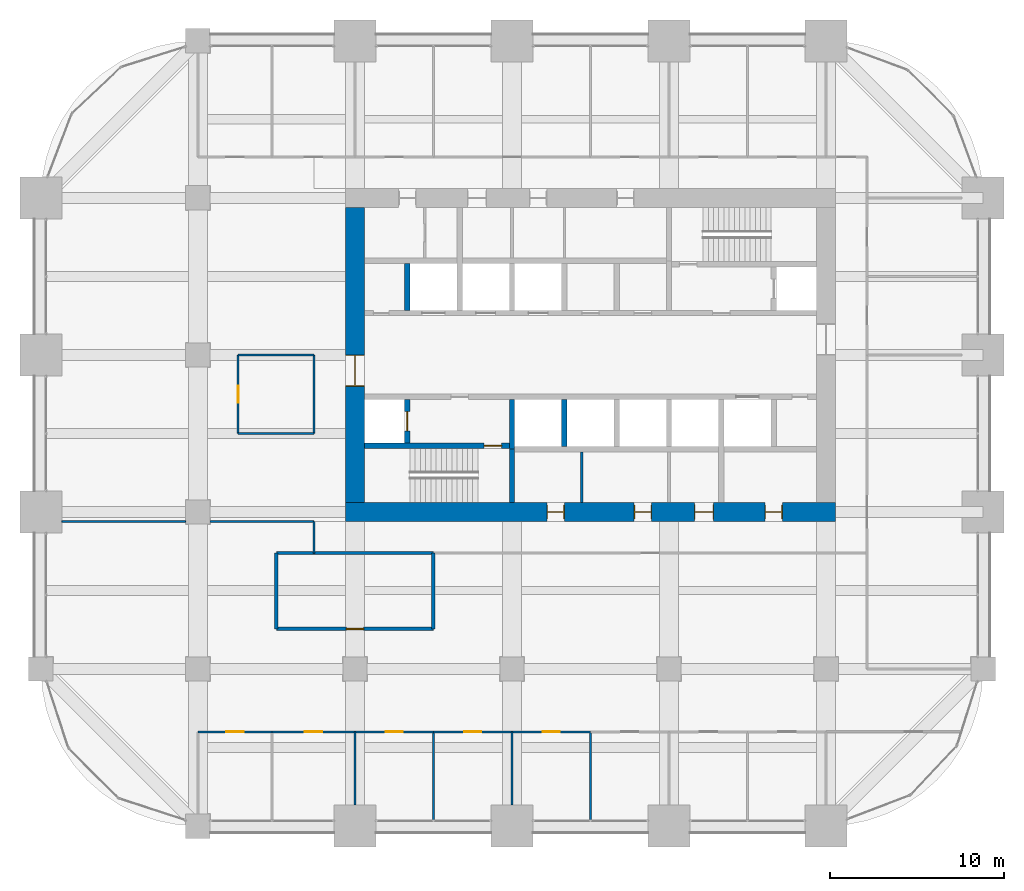
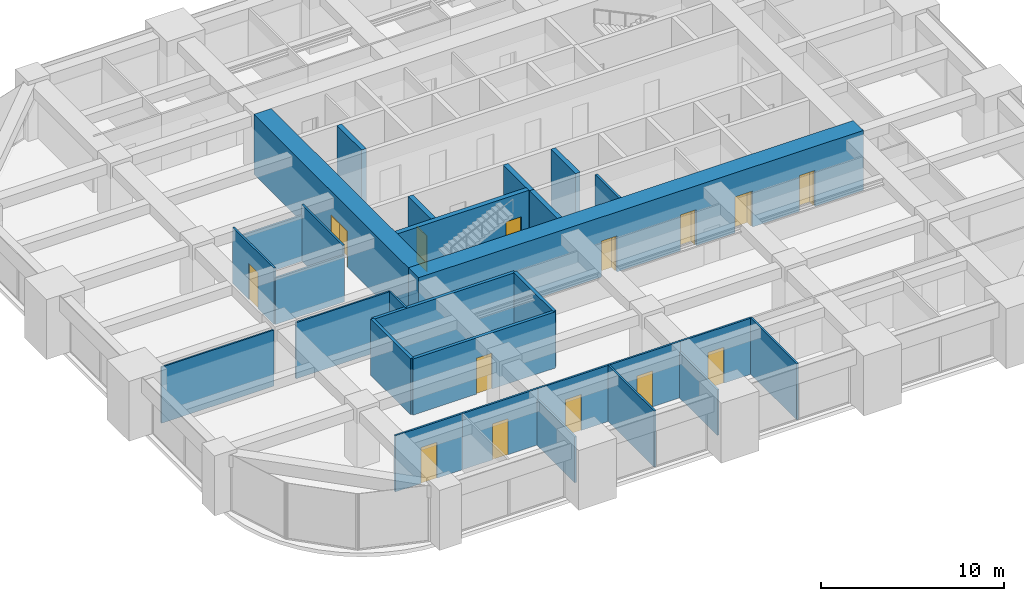
# One storey, part 29 of 33: 29 walls, 14 doors, 14 openings.
"""IFC4 building model written with IfcOpenShell, lengths in metres."""

from ifc_helpers import new_model, si_unit, direction, frame, frame_2d, origin, place, context, subcontext, project, spatial, rectangle, extrude, material, layer, layer_set, type_object, element, fill, save


model = new_model("IFC4")

# Units and contexts
model_context = context("Model", 3, precision=1e-05, world=origin(), true_north=direction((0.0, 1.0)))
body_context = subcontext(model_context, "Body", "Model", "MODEL_VIEW")
ifc_project = project(units=[si_unit("LENGTHUNIT", "METRE"), si_unit("AREAUNIT", "SQUARE_METRE"), si_unit("VOLUMEUNIT", "CUBIC_METRE"), si_unit("PLANEANGLEUNIT", "RADIAN"), si_unit("MASSUNIT", "GRAM", prefix="KILO")], contexts=[model_context])

# Site, building, storey
site_placement = place(None, origin())
site = spatial("IfcSite", under=ifc_project, at=site_placement, CompositionType="ELEMENT")
building_placement = place(site_placement, origin())
building = spatial("IfcBuilding", under=site, at=building_placement, Name="Zorevar Civic Tower", CompositionType="ELEMENT")
storey_placement = place(building_placement, frame((0.0, 0.0, 210.199951171875)))
storey = spatial("IfcBuildingStorey", under=building, at=storey_placement, Name="L51", CompositionType="ELEMENT", Elevation=210.199951171875)

# Wall, opening, door
ifc_material_1 = material(Name="Concrete blockwork", Category="masonry")
ifc_layer_1 = layer(ifc_material_1, 0.199951171875)
ifc_layer_set_1 = layer_set([ifc_layer_1], Name="Blockwork wall 200")
wall_type_1 = type_object("IfcWallType", Name="Blockwork wall 200", PredefinedType="SOLIDWALL", material=ifc_layer_set_1)
wall_1_placement = place(storey_placement, frame((13.5, 11.300048828125, 0.0), z_axis=(0.0, 0.0, 1.0), x_axis=(1.0, 0.0, 0.0)))
wall_1 = element("IfcWall", 1, at=wall_1_placement, inside=storey, type_object=wall_type_1, Name="Blockwork wall 200 L51", PredefinedType="SOLIDWALL", context=body_context, shape_type="SweptSolid", body=[
    extrude(rectangle(XDim=9.0, YDim=0.199951171875, at=frame_2d((4.5, 0.0))), origin(), (0.0, 0.0, 1.0), 3.75),
])
opening_1_placement = place(wall_1_placement, frame((4.0, 0.0, 0.0)))
opening_1 = element("IfcOpeningElement", 2, at=opening_1_placement, cuts=wall_1, Name="Opening L51.26", PredefinedType="OPENING", context=body_context, shape_type="SweptSolid", body=[
    extrude(rectangle(XDim=1.0, YDim=2.39990234375, at=frame_2d((0.5, 1.199951171875))), frame((0.0, 0.10986328125, 0.0), z_axis=(0.0, -1.0, 0.0), x_axis=(1.0, 0.0, 0.0)), (0.0, 0.0, 1.0), 0.219970703125),
])
ifc_material_2 = material(Name="Steel door set", Category="steel")
door_type_1 = type_object("IfcDoorType", Name="Security door SD1 1000x2400", OperationType="SINGLE_SWING_LEFT", PredefinedType="DOOR", material=ifc_material_2)
door_1_placement = place(opening_1_placement, origin())
door_1 = element("IfcDoor", 3, at=door_1_placement, inside=storey, type_object=door_type_1, Name="Door L51 D1", OperationType="SINGLE_SWING_LEFT", OverallHeight=2.39990234375, OverallWidth=1.0, PredefinedType="DOOR", context=body_context, shape_type="SweptSolid", body=[
    extrude(rectangle(XDim=1.0, YDim=2.39990234375, at=frame_2d((0.5, 1.199951171875))), frame((0.0, 0.03515625, 0.0), z_axis=(0.0, -1.0, 0.0), x_axis=(1.0, 0.0, 0.0)), (0.0, 0.0, 1.0), 0.070068359375),
])
fill(opening_1, door_1)

# Walls
wall_2_placement = place(storey_placement, frame((13.5, 15.64990234375, 0.0), z_axis=(0.0, 0.0, 1.0), x_axis=(1.0, 0.0, 0.0)))
element("IfcWall", 4, at=wall_2_placement, inside=storey, type_object=wall_type_1, Name="Blockwork wall 200 L51", PredefinedType="SOLIDWALL", context=body_context, shape_type="SweptSolid", body=[
    extrude(rectangle(XDim=9.0, YDim=0.199951171875, at=frame_2d((4.5, 0.0))), origin(), (0.0, 0.0, 1.0), 3.75),
])
for number, where, z_axis, x_axis, name in (
    (5, (13.5, 11.300048828125, 0.0), (0.0, 0.0, 1.0), (0.0, 1.0, 0.0), "Blockwork wall 200 L51"),
    (6, (22.5, 11.300048828125, 0.0), (0.0, 0.0, 1.0), (0.0, 1.0, 0.0), "Blockwork wall 200 L51"),
):
    element("IfcWall", number, at=place(storey_placement, frame(where, z_axis=z_axis, x_axis=x_axis)), inside=storey, type_object=wall_type_1, Name=name, PredefinedType="SOLIDWALL", context=body_context, shape_type="SweptSolid", body=[
        extrude(rectangle(XDim=4.349853515625, YDim=0.199951171875, at=frame_2d((2.1748046875, 0.0))), origin(), (0.0, 0.0, 1.0), 3.75),
    ])

# Wall, openings, doors
ifc_material_3 = material(Name="Concrete C50/60", Category="concrete")
ifc_layer_2 = layer(ifc_material_3, 1.10009765625)
ifc_layer_set_2 = layer_set([ifc_layer_2], Name="Core wall 1100")
wall_type_2 = type_object("IfcWallType", Name="Core wall 1100", PredefinedType="SHEAR", material=ifc_layer_set_2)
wall_3_placement = place(storey_placement, frame((17.449951171875, 18.0, 0.0), z_axis=(0.0, 0.0, 1.0), x_axis=(1.0, 0.0, 0.0)))
wall_3 = element("IfcWall", 7, at=wall_3_placement, inside=storey, type_object=wall_type_2, Name="Core wall S L51", PredefinedType="SHEAR", context=body_context, shape_type="SweptSolid", body=[
    extrude(rectangle(XDim=28.10009765625, YDim=1.10009765625, at=frame_2d((14.050048828125, 0.0))), origin(), (0.0, 0.0, 1.0), 4.0),
])
opening_2_placement = place(wall_3_placement, frame((11.550048828125, 0.0, 0.0)))
opening_2 = element("IfcOpeningElement", 8, at=opening_2_placement, cuts=wall_3, Name="Opening L51.03", PredefinedType="OPENING", context=body_context, shape_type="SweptSolid", body=[
    extrude(rectangle(XDim=1.0, YDim=2.39990234375, at=frame_2d((0.5, 1.199951171875))), frame((0.0, 0.56005859375, 0.0), z_axis=(0.0, -1.0, 0.0), x_axis=(1.0, 0.0, 0.0)), (0.0, 0.0, 1.0), 1.1201171875),
])
opening_3_placement = place(wall_3_placement, frame((16.550048828125, 0.0, 0.0)))
opening_3 = element("IfcOpeningElement", 9, at=opening_3_placement, cuts=wall_3, Name="Opening L51.04", PredefinedType="OPENING", context=body_context, shape_type="SweptSolid", body=[
    extrude(rectangle(XDim=1.0, YDim=2.39990234375, at=frame_2d((0.5, 1.199951171875))), frame((0.0, 0.56005859375, 0.0), z_axis=(0.0, -1.0, 0.0), x_axis=(1.0, 0.0, 0.0)), (0.0, 0.0, 1.0), 1.1201171875),
])
opening_4_placement = place(wall_3_placement, frame((20.0, 0.0, 0.0)))
opening_4 = element("IfcOpeningElement", 10, at=opening_4_placement, cuts=wall_3, Name="Opening L51.05", PredefinedType="OPENING", context=body_context, shape_type="SweptSolid", body=[
    extrude(rectangle(XDim=1.10009765625, YDim=2.39990234375, at=frame_2d((0.550048828125, 1.199951171875))), frame((0.0, 0.56005859375, 0.0), z_axis=(0.0, -1.0, 0.0), x_axis=(1.0, 0.0, 0.0)), (0.0, 0.0, 1.0), 1.1201171875),
])
opening_5_placement = place(wall_3_placement, frame((24.050048828125, 0.0, 0.0)))
opening_5 = element("IfcOpeningElement", 11, at=opening_5_placement, cuts=wall_3, Name="Opening L51.06", PredefinedType="OPENING", context=body_context, shape_type="SweptSolid", body=[
    extrude(rectangle(XDim=1.0, YDim=2.39990234375, at=frame_2d((0.5, 1.199951171875))), frame((0.0, 0.56005859375, 0.0), z_axis=(0.0, -1.0, 0.0), x_axis=(1.0, 0.0, 0.0)), (0.0, 0.0, 1.0), 1.1201171875),
])
ifc_material_4 = material(Name="Timber door set", Category="wood")
door_type_2 = type_object("IfcDoorType", Name="Door D1 1000x2400", OperationType="SINGLE_SWING_LEFT", PredefinedType="DOOR", material=ifc_material_4)
door_2_placement = place(opening_2_placement, origin())
door_2 = element("IfcDoor", 12, at=door_2_placement, inside=storey, type_object=door_type_2, Name="Door L51 02", OperationType="SINGLE_SWING_RIGHT", OverallHeight=2.39990234375, OverallWidth=1.0, PredefinedType="DOOR", context=body_context, shape_type="SweptSolid", body=[
    extrude(rectangle(XDim=1.0, YDim=2.39990234375, at=frame_2d((0.5, 1.199951171875))), frame((0.0, 0.02490234375, 0.0), z_axis=(0.0, -1.0, 0.0), x_axis=(1.0, 0.0, 0.0)), (0.0, 0.0, 1.0), 0.050048828125),
    extrude(rectangle(XDim=0.04, YDim=2.39990234375, at=frame_2d((0.02001953125, 1.199951171875))), frame((0.0, 0.39990234375, 0.0), z_axis=(0.0, -1.0, 0.0), x_axis=(1.0, 0.0, 0.0)), (0.0, 0.0, 1.0), 0.800048828125),
    extrude(rectangle(XDim=0.04, YDim=2.39990234375, at=frame_2d((0.97998046875, 1.199951171875))), frame((0.0, 0.39990234375, 0.0), z_axis=(0.0, -1.0, 0.0), x_axis=(1.0, 0.0, 0.0)), (0.0, 0.0, 1.0), 0.800048828125),
    extrude(rectangle(XDim=1.0, YDim=0.04, at=frame_2d((0.5, 2.3798828125))), frame((0.0, 0.39990234375, 0.0), z_axis=(0.0, -1.0, 0.0), x_axis=(1.0, 0.0, 0.0)), (0.0, 0.0, 1.0), 0.800048828125),
])
fill(opening_2, door_2)
door_3_placement = place(opening_3_placement, origin())
door_3 = element("IfcDoor", 13, at=door_3_placement, inside=storey, type_object=door_type_2, Name="Door L51 03", OperationType="SINGLE_SWING_LEFT", OverallHeight=2.39990234375, OverallWidth=1.0, PredefinedType="DOOR", context=body_context, shape_type="SweptSolid", body=[
    extrude(rectangle(XDim=1.0, YDim=2.39990234375, at=frame_2d((0.5, 1.199951171875))), frame((0.0, 0.02490234375, 0.0), z_axis=(0.0, -1.0, 0.0), x_axis=(1.0, 0.0, 0.0)), (0.0, 0.0, 1.0), 0.050048828125),
    extrude(rectangle(XDim=0.04, YDim=2.39990234375, at=frame_2d((0.02001953125, 1.199951171875))), frame((0.0, 0.39990234375, 0.0), z_axis=(0.0, -1.0, 0.0), x_axis=(1.0, 0.0, 0.0)), (0.0, 0.0, 1.0), 0.800048828125),
    extrude(rectangle(XDim=0.04, YDim=2.39990234375, at=frame_2d((0.97998046875, 1.199951171875))), frame((0.0, 0.39990234375, 0.0), z_axis=(0.0, -1.0, 0.0), x_axis=(1.0, 0.0, 0.0)), (0.0, 0.0, 1.0), 0.800048828125),
    extrude(rectangle(XDim=1.0, YDim=0.04, at=frame_2d((0.5, 2.3798828125))), frame((0.0, 0.39990234375, 0.0), z_axis=(0.0, -1.0, 0.0), x_axis=(1.0, 0.0, 0.0)), (0.0, 0.0, 1.0), 0.800048828125),
])
fill(opening_3, door_3)
door_4_placement = place(opening_5_placement, origin())
door_4 = element("IfcDoor", 14, at=door_4_placement, inside=storey, type_object=door_type_2, Name="Door L51 05", OperationType="SINGLE_SWING_LEFT", OverallHeight=2.39990234375, OverallWidth=1.0, PredefinedType="DOOR", context=body_context, shape_type="SweptSolid", body=[
    extrude(rectangle(XDim=1.0, YDim=2.39990234375, at=frame_2d((0.5, 1.199951171875))), frame((0.0, 0.02490234375, 0.0), z_axis=(0.0, -1.0, 0.0), x_axis=(1.0, 0.0, 0.0)), (0.0, 0.0, 1.0), 0.050048828125),
    extrude(rectangle(XDim=0.04, YDim=2.39990234375, at=frame_2d((0.02001953125, 1.199951171875))), frame((0.0, 0.39990234375, 0.0), z_axis=(0.0, -1.0, 0.0), x_axis=(1.0, 0.0, 0.0)), (0.0, 0.0, 1.0), 0.800048828125),
    extrude(rectangle(XDim=0.04, YDim=2.39990234375, at=frame_2d((0.97998046875, 1.199951171875))), frame((0.0, 0.39990234375, 0.0), z_axis=(0.0, -1.0, 0.0), x_axis=(1.0, 0.0, 0.0)), (0.0, 0.0, 1.0), 0.800048828125),
    extrude(rectangle(XDim=1.0, YDim=0.04, at=frame_2d((0.5, 2.3798828125))), frame((0.0, 0.39990234375, 0.0), z_axis=(0.0, -1.0, 0.0), x_axis=(1.0, 0.0, 0.0)), (0.0, 0.0, 1.0), 0.800048828125),
])
fill(opening_5, door_4)
ifc_material_5 = material(Name="Timber door set", Category="wood")
door_type_3 = type_object("IfcDoorType", Name="Door D5 1100x2400", OperationType="SINGLE_SWING_LEFT", PredefinedType="DOOR", material=ifc_material_5)
door_5_placement = place(opening_4_placement, origin())
door_5 = element("IfcDoor", 15, at=door_5_placement, inside=storey, type_object=door_type_3, Name="Door L51 04", OperationType="SINGLE_SWING_LEFT", OverallHeight=2.39990234375, OverallWidth=1.10009765625, PredefinedType="DOOR", context=body_context, shape_type="SweptSolid", body=[
    extrude(rectangle(XDim=1.10009765625, YDim=2.39990234375, at=frame_2d((0.550048828125, 1.199951171875))), frame((0.0, 0.02490234375, 0.0), z_axis=(0.0, -1.0, 0.0), x_axis=(1.0, 0.0, 0.0)), (0.0, 0.0, 1.0), 0.050048828125),
    extrude(rectangle(XDim=0.04, YDim=2.39990234375, at=frame_2d((0.02001953125, 1.199951171875))), frame((0.0, 0.43994140625, 0.0), z_axis=(0.0, -1.0, 0.0), x_axis=(1.0, 0.0, 0.0)), (0.0, 0.0, 1.0), 0.880126953125),
    extrude(rectangle(XDim=0.04, YDim=2.39990234375, at=frame_2d((1.080078125, 1.199951171875))), frame((0.0, 0.43994140625, 0.0), z_axis=(0.0, -1.0, 0.0), x_axis=(1.0, 0.0, 0.0)), (0.0, 0.0, 1.0), 0.880126953125),
    extrude(rectangle(XDim=1.10009765625, YDim=0.04, at=frame_2d((0.550048828125, 2.3798828125))), frame((0.0, 0.43994140625, 0.0), z_axis=(0.0, -1.0, 0.0), x_axis=(1.0, 0.0, 0.0)), (0.0, 0.0, 1.0), 0.880126953125),
])
fill(opening_4, door_5)

# Wall, opening, door
wall_4_placement = place(storey_placement, frame((18.0, 35.449951171875, 0.0), z_axis=(0.0, 0.0, 1.0), x_axis=(0.0, -1.0, 0.0)))
wall_4 = element("IfcWall", 16, at=wall_4_placement, inside=storey, type_object=wall_type_2, Name="Core wall W L51", PredefinedType="SHEAR", context=body_context, shape_type="SweptSolid", body=[
    extrude(rectangle(XDim=16.89990234375, YDim=1.10009765625, at=frame_2d((8.449951171875, 0.0))), origin(), (0.0, 0.0, 1.0), 4.0),
])
opening_6_placement = place(wall_4_placement, frame((8.449951171875, 0.0, 0.0)))
opening_6 = element("IfcOpeningElement", 17, at=opening_6_placement, cuts=wall_4, Name="Opening L51.01", PredefinedType="OPENING", context=body_context, shape_type="SweptSolid", body=[
    extrude(rectangle(XDim=1.800048828125, YDim=2.39990234375, at=frame_2d((0.89990234375, 1.199951171875))), frame((0.0, 0.56005859375, 0.0), z_axis=(0.0, -1.0, 0.0), x_axis=(1.0, 0.0, 0.0)), (0.0, 0.0, 1.0), 1.1201171875),
])
ifc_material_6 = material(Name="Steel door set", Category="steel")
door_type_4 = type_object("IfcDoorType", Name="Fire door FD2 1800x2400", OperationType="DOUBLE_DOOR_DOUBLE_SWING", PredefinedType="DOOR", material=ifc_material_6)
door_6_placement = place(opening_6_placement, origin())
door_6 = element("IfcDoor", 18, at=door_6_placement, inside=storey, type_object=door_type_4, Name="Door L51 00", OperationType="DOUBLE_DOOR_DOUBLE_SWING", OverallHeight=2.39990234375, OverallWidth=1.800048828125, PredefinedType="DOOR", context=body_context, shape_type="SweptSolid", body=[
    extrude(rectangle(XDim=1.800048828125, YDim=2.39990234375, at=frame_2d((0.89990234375, 1.199951171875))), frame((0.0, 0.030029296875, 0.0), z_axis=(0.0, -1.0, 0.0), x_axis=(1.0, 0.0, 0.0)), (0.0, 0.0, 1.0), 0.06005859375),
    extrude(rectangle(XDim=0.04, YDim=2.39990234375, at=frame_2d((0.02001953125, 1.199951171875))), frame((0.0, 0.5498046875, 0.0), z_axis=(0.0, -1.0, 0.0), x_axis=(1.0, 0.0, 0.0)), (0.0, 0.0, 1.0), 1.099609375),
    extrude(rectangle(XDim=0.04, YDim=2.39990234375, at=frame_2d((1.780029296875, 1.199951171875))), frame((0.0, 0.5498046875, 0.0), z_axis=(0.0, -1.0, 0.0), x_axis=(1.0, 0.0, 0.0)), (0.0, 0.0, 1.0), 1.099609375),
    extrude(rectangle(XDim=1.800048828125, YDim=0.04, at=frame_2d((0.89990234375, 2.3798828125))), frame((0.0, 0.5498046875, 0.0), z_axis=(0.0, -1.0, 0.0), x_axis=(1.0, 0.0, 0.0)), (0.0, 0.0, 1.0), 1.099609375),
])
fill(opening_6, door_6)

# Walls
ifc_material_7 = material(Name="Laminated glass in black aluminium frame", Category="aluminium")
ifc_layer_3 = layer(ifc_material_7, 0.10009765625)
ifc_layer_set_3 = layer_set([ifc_layer_3], Name="Glazed partition 100")
wall_type_3 = type_object("IfcWallType", Name="Glazed partition 100", PredefinedType="PARTITIONING", material=ifc_layer_set_3)
wall_5_placement = place(storey_placement, frame((1.199951171875, 17.449951171875, 0.0), z_axis=(0.0, 0.0, 1.0), x_axis=(1.0, 0.0, 0.0)))
element("IfcWall", 19, at=wall_5_placement, inside=storey, type_object=wall_type_3, Name="Glazed partition 100 L51", PredefinedType="PARTITIONING", context=body_context, shape_type="SweptSolid", body=[
    extrude(rectangle(XDim=7.10009765625, YDim=0.10009765625, at=frame_2d((3.550048828125, 0.0))), origin(), (0.0, 0.0, 1.0), 3.75),
])
wall_6_placement = place(storey_placement, frame((9.699951171875, 17.449951171875, 0.0), z_axis=(0.0, 0.0, 1.0), x_axis=(1.0, 0.0, 0.0)))
element("IfcWall", 20, at=wall_6_placement, inside=storey, type_object=wall_type_3, Name="Glazed partition 100 L51", PredefinedType="PARTITIONING", context=body_context, shape_type="SweptSolid", body=[
    extrude(rectangle(XDim=5.949951171875, YDim=0.10009765625, at=frame_2d((2.97509765625, 0.0))), origin(), (0.0, 0.0, 1.0), 3.75),
])
wall_7_placement = place(storey_placement, frame((15.64990234375, 15.64990234375, 0.0), z_axis=(0.0, 0.0, 1.0), x_axis=(0.0, 1.0, 0.0)))
element("IfcWall", 21, at=wall_7_placement, inside=storey, type_object=wall_type_3, Name="Glazed partition 100 L51", PredefinedType="PARTITIONING", context=body_context, shape_type="SweptSolid", body=[
    extrude(rectangle(XDim=1.800048828125, YDim=0.10009765625, at=frame_2d((0.89990234375, 0.0))), origin(), (0.0, 0.0, 1.0), 3.75),
])

# Wall, opening, door
ifc_material_8 = material(Name="Concrete C40/50", Category="concrete")
ifc_layer_4 = layer(ifc_material_8, 0.300048828125)
ifc_layer_set_4 = layer_set([ifc_layer_4], Name="Inner core wall 300")
wall_type_4 = type_object("IfcWallType", Name="Inner core wall 300", PredefinedType="SHEAR", material=ifc_layer_set_4)
wall_8_placement = place(storey_placement, frame((18.550048828125, 21.800048828125, 0.0), z_axis=(0.0, 0.0, 1.0), x_axis=(1.0, 0.0, 0.0)))
wall_8 = element("IfcWall", 22, at=wall_8_placement, inside=storey, type_object=wall_type_4, Name="Inner core wall S00 L51", PredefinedType="SHEAR", context=body_context, shape_type="SweptSolid", body=[
    extrude(rectangle(XDim=8.300048828125, YDim=0.300048828125, at=frame_2d((4.14990234375, 0.0))), origin(), (0.0, 0.0, 1.0), 4.0),
])
opening_7_placement = place(wall_8_placement, frame((6.85009765625, 0.0, 0.0)))
opening_7 = element("IfcOpeningElement", 23, at=opening_7_placement, cuts=wall_8, Name="Opening L51.11", PredefinedType="OPENING", context=body_context, shape_type="SweptSolid", body=[
    extrude(rectangle(XDim=1.0, YDim=2.39990234375, at=frame_2d((0.5, 1.199951171875))), frame((0.0, 0.159912109375, 0.0), z_axis=(0.0, -1.0, 0.0), x_axis=(1.0, 0.0, 0.0)), (0.0, 0.0, 1.0), 0.320068359375),
])
ifc_material_9 = material(Name="Steel door set", Category="steel")
door_type_5 = type_object("IfcDoorType", Name="Fire door FD1 1000x2400", OperationType="SINGLE_SWING_LEFT", PredefinedType="DOOR", material=ifc_material_9)
door_7_placement = place(opening_7_placement, origin())
door_7 = element("IfcDoor", 24, at=door_7_placement, inside=storey, type_object=door_type_5, Name="Door L51 10", OperationType="SINGLE_SWING_RIGHT", OverallHeight=2.39990234375, OverallWidth=1.0, PredefinedType="DOOR", context=body_context, shape_type="SweptSolid", body=[
    extrude(rectangle(XDim=1.0, YDim=2.39990234375, at=frame_2d((0.5, 1.199951171875))), frame((0.0, 0.030029296875, 0.0), z_axis=(0.0, -1.0, 0.0), x_axis=(1.0, 0.0, 0.0)), (0.0, 0.0, 1.0), 0.06005859375),
])
fill(opening_7, door_7)

# Wall
wall_9_placement = place(storey_placement, frame((27.0, 18.550048828125, 0.0), z_axis=(0.0, 0.0, 1.0), x_axis=(0.0, 1.0, 0.0)))
element("IfcWall", 25, at=wall_9_placement, inside=storey, type_object=wall_type_4, Name="Inner core wall S01 L51", PredefinedType="SHEAR", context=body_context, shape_type="SweptSolid", body=[
    extrude(rectangle(XDim=3.050048828125, YDim=0.300048828125, at=frame_2d((1.52490234375, 0.0))), origin(), (0.0, 0.0, 1.0), 4.0),
])

# Wall, opening, door
wall_10_placement = place(storey_placement, frame((21.0, 21.949951171875, 0.0), z_axis=(0.0, 0.0, 1.0), x_axis=(0.0, 1.0, 0.0)))
wall_10 = element("IfcWall", 26, at=wall_10_placement, inside=storey, type_object=wall_type_4, Name="Inner core wall S02 L51", PredefinedType="SHEAR", context=body_context, shape_type="SweptSolid", body=[
    extrude(rectangle(XDim=2.5, YDim=0.300048828125, at=frame_2d((1.25, 0.0))), origin(), (0.0, 0.0, 1.0), 4.0),
])
opening_8_placement = place(wall_10_placement, frame((0.699951171875, 0.0, 0.0)))
opening_8 = element("IfcOpeningElement", 27, at=opening_8_placement, cuts=wall_10, Name="Opening L51.FL1", PredefinedType="OPENING", context=body_context, shape_type="SweptSolid", body=[
    extrude(rectangle(XDim=1.10009765625, YDim=2.39990234375, at=frame_2d((0.550048828125, 1.199951171875))), frame((0.0, 0.159912109375, 0.0), z_axis=(0.0, -1.0, 0.0), x_axis=(1.0, 0.0, 0.0)), (0.0, 0.0, 1.0), 0.320068359375),
])
ifc_material_10 = material(Name="Steel door set", Category="steel")
door_type_6 = type_object("IfcDoorType", Name="Firefighting lift landing door LD3 1100x2400", OperationType="DOUBLE_DOOR_SLIDING", PredefinedType="DOOR", material=ifc_material_10)
door_8_placement = place(opening_8_placement, origin())
door_8 = element("IfcDoor", 28, at=door_8_placement, inside=storey, type_object=door_type_6, Name="Landing door FL1 L51", OperationType="DOUBLE_DOOR_SLIDING", OverallHeight=2.39990234375, OverallWidth=1.10009765625, PredefinedType="DOOR", context=body_context, shape_type="SweptSolid", body=[
    extrude(rectangle(XDim=1.10009765625, YDim=2.39990234375, at=frame_2d((0.550048828125, 1.199951171875))), frame((0.0, 0.030029296875, 0.0), z_axis=(0.0, -1.0, 0.0), x_axis=(1.0, 0.0, 0.0)), (0.0, 0.0, 1.0), 0.06005859375),
])
fill(opening_8, door_8)

# Walls
for number, where, z_axis, x_axis, name in (
    (29, (30.0, 21.75, 0.0), (0.0, 0.0, 1.0), (0.0, 1.0, 0.0), "Inner core wall S05 L51"),
    (30, (21.0, 29.550048828125, 0.0), (0.0, 0.0, 1.0), (0.0, 1.0, 0.0), "Inner core wall N09 L51"),
):
    element("IfcWall", number, at=place(storey_placement, frame(where, z_axis=z_axis, x_axis=x_axis)), inside=storey, type_object=wall_type_4, Name=name, PredefinedType="SHEAR", context=body_context, shape_type="SweptSolid", body=[
        extrude(rectangle(XDim=2.699951171875, YDim=0.300048828125, at=frame_2d((1.35009765625, 0.0))), origin(), (0.0, 0.0, 1.0), 4.0),
    ])
wall_11_placement = place(storey_placement, frame((27.0, 21.60009765625, 0.0), z_axis=(0.0, 0.0, 1.0), x_axis=(0.0, 1.0, 0.0)))
element("IfcWall", 31, at=wall_11_placement, inside=storey, type_object=wall_type_4, Name="Inner core wall S10 L51", PredefinedType="SHEAR", context=body_context, shape_type="SweptSolid", body=[
    extrude(rectangle(XDim=2.849853515625, YDim=0.300048828125, at=frame_2d((1.4248046875, 0.0))), origin(), (0.0, 0.0, 1.0), 4.0),
])

# Wall, opening, door
ifc_material_11 = material(Name="Gypsum board on steel studs", Category="steel")
ifc_layer_5 = layer(ifc_material_11, 0.1201171875)
ifc_layer_set_5 = layer_set([ifc_layer_5], Name="Partition 120")
wall_type_5 = type_object("IfcWallType", Name="Partition 120", PredefinedType="PARTITIONING", material=ifc_layer_set_5)
wall_12_placement = place(storey_placement, frame((9.0, 5.39990234375, 0.0), z_axis=(0.0, 0.0, 1.0), x_axis=(1.0, 0.0, 0.0)))
wall_12 = element("IfcWall", 32, at=wall_12_placement, inside=storey, type_object=wall_type_5, Name="Partition 120 L51", PredefinedType="PARTITIONING", context=body_context, shape_type="SweptSolid", body=[
    extrude(rectangle(XDim=4.25, YDim=0.1201171875, at=frame_2d((2.125, 0.0))), origin(), (0.0, 0.0, 1.0), 3.75),
])
opening_9_placement = place(wall_12_placement, frame((1.625, 0.0, 0.0)))
opening_9 = element("IfcOpeningElement", 33, at=opening_9_placement, cuts=wall_12, Name="Opening L51.17", PredefinedType="OPENING", context=body_context, shape_type="SweptSolid", body=[
    extrude(rectangle(XDim=1.0, YDim=2.39990234375, at=frame_2d((0.5, 1.199951171875))), frame((0.0, 0.070068359375, 0.0), z_axis=(0.0, -1.0, 0.0), x_axis=(1.0, 0.0, 0.0)), (0.0, 0.0, 1.0), 0.14013671875),
])
door_9_placement = place(opening_9_placement, origin())
door_9 = element("IfcDoor", 34, at=door_9_placement, inside=storey, type_object=door_type_2, Name="Door L51 D1", OperationType="SINGLE_SWING_RIGHT", OverallHeight=2.39990234375, OverallWidth=1.0, PredefinedType="DOOR", context=body_context, shape_type="SweptSolid", body=[
    extrude(rectangle(XDim=1.0, YDim=2.39990234375, at=frame_2d((0.5, 1.199951171875))), frame((0.0, 0.02490234375, 0.0), z_axis=(0.0, -1.0, 0.0), x_axis=(1.0, 0.0, 0.0)), (0.0, 0.0, 1.0), 0.050048828125),
])
fill(opening_9, door_9)

wall_13_placement = place(storey_placement, frame((13.25, 5.39990234375, 0.0), z_axis=(0.0, 0.0, 1.0), x_axis=(1.0, 0.0, 0.0)))
wall_13 = element("IfcWall", 35, at=wall_13_placement, inside=storey, type_object=wall_type_5, Name="Partition 120 L51", PredefinedType="PARTITIONING", context=body_context, shape_type="SweptSolid", body=[
    extrude(rectangle(XDim=4.75, YDim=0.1201171875, at=frame_2d((2.375, 0.0))), origin(), (0.0, 0.0, 1.0), 3.75),
])
opening_10_placement = place(wall_13_placement, frame((1.875, 0.0, 0.0)))
opening_10 = element("IfcOpeningElement", 36, at=opening_10_placement, cuts=wall_13, Name="Opening L51.18", PredefinedType="OPENING", context=body_context, shape_type="SweptSolid", body=[
    extrude(rectangle(XDim=1.0, YDim=2.39990234375, at=frame_2d((0.5, 1.199951171875))), frame((0.0, 0.070068359375, 0.0), z_axis=(0.0, -1.0, 0.0), x_axis=(1.0, 0.0, 0.0)), (0.0, 0.0, 1.0), 0.14013671875),
])
door_10_placement = place(opening_10_placement, origin())
door_10 = element("IfcDoor", 37, at=door_10_placement, inside=storey, type_object=door_type_2, Name="Door L51 D1", OperationType="SINGLE_SWING_RIGHT", OverallHeight=2.39990234375, OverallWidth=1.0, PredefinedType="DOOR", context=body_context, shape_type="SweptSolid", body=[
    extrude(rectangle(XDim=1.0, YDim=2.39990234375, at=frame_2d((0.5, 1.199951171875))), frame((0.0, 0.02490234375, 0.0), z_axis=(0.0, -1.0, 0.0), x_axis=(1.0, 0.0, 0.0)), (0.0, 0.0, 1.0), 0.050048828125),
])
fill(opening_10, door_10)

wall_14_placement = place(storey_placement, frame((18.0, 5.39990234375, 0.0), z_axis=(0.0, 0.0, 1.0), x_axis=(1.0, 0.0, 0.0)))
wall_14 = element("IfcWall", 38, at=wall_14_placement, inside=storey, type_object=wall_type_5, Name="Partition 120 L51", PredefinedType="PARTITIONING", context=body_context, shape_type="SweptSolid", body=[
    extrude(rectangle(XDim=4.5, YDim=0.1201171875, at=frame_2d((2.25, 0.0))), origin(), (0.0, 0.0, 1.0), 3.75),
])
opening_11_placement = place(wall_14_placement, frame((1.75, 0.0, 0.0)))
opening_11 = element("IfcOpeningElement", 39, at=opening_11_placement, cuts=wall_14, Name="Opening L51.19", PredefinedType="OPENING", context=body_context, shape_type="SweptSolid", body=[
    extrude(rectangle(XDim=1.0, YDim=2.39990234375, at=frame_2d((0.5, 1.199951171875))), frame((0.0, 0.070068359375, 0.0), z_axis=(0.0, -1.0, 0.0), x_axis=(1.0, 0.0, 0.0)), (0.0, 0.0, 1.0), 0.14013671875),
])
door_11_placement = place(opening_11_placement, origin())
door_11 = element("IfcDoor", 40, at=door_11_placement, inside=storey, type_object=door_type_2, Name="Door L51 D1", OperationType="SINGLE_SWING_RIGHT", OverallHeight=2.39990234375, OverallWidth=1.0, PredefinedType="DOOR", context=body_context, shape_type="SweptSolid", body=[
    extrude(rectangle(XDim=1.0, YDim=2.39990234375, at=frame_2d((0.5, 1.199951171875))), frame((0.0, 0.02490234375, 0.0), z_axis=(0.0, -1.0, 0.0), x_axis=(1.0, 0.0, 0.0)), (0.0, 0.0, 1.0), 0.050048828125),
])
fill(opening_11, door_11)

wall_15_placement = place(storey_placement, frame((22.5, 5.39990234375, 0.0), z_axis=(0.0, 0.0, 1.0), x_axis=(1.0, 0.0, 0.0)))
wall_15 = element("IfcWall", 41, at=wall_15_placement, inside=storey, type_object=wall_type_5, Name="Partition 120 L51", PredefinedType="PARTITIONING", context=body_context, shape_type="SweptSolid", body=[
    extrude(rectangle(XDim=4.5, YDim=0.1201171875, at=frame_2d((2.25, 0.0))), origin(), (0.0, 0.0, 1.0), 3.75),
])
opening_12_placement = place(wall_15_placement, frame((1.75, 0.0, 0.0)))
opening_12 = element("IfcOpeningElement", 42, at=opening_12_placement, cuts=wall_15, Name="Opening L51.20", PredefinedType="OPENING", context=body_context, shape_type="SweptSolid", body=[
    extrude(rectangle(XDim=1.0, YDim=2.39990234375, at=frame_2d((0.5, 1.199951171875))), frame((0.0, 0.070068359375, 0.0), z_axis=(0.0, -1.0, 0.0), x_axis=(1.0, 0.0, 0.0)), (0.0, 0.0, 1.0), 0.14013671875),
])
door_12_placement = place(opening_12_placement, origin())
door_12 = element("IfcDoor", 43, at=door_12_placement, inside=storey, type_object=door_type_2, Name="Door L51 D1", OperationType="SINGLE_SWING_RIGHT", OverallHeight=2.39990234375, OverallWidth=1.0, PredefinedType="DOOR", context=body_context, shape_type="SweptSolid", body=[
    extrude(rectangle(XDim=1.0, YDim=2.39990234375, at=frame_2d((0.5, 1.199951171875))), frame((0.0, 0.02490234375, 0.0), z_axis=(0.0, -1.0, 0.0), x_axis=(1.0, 0.0, 0.0)), (0.0, 0.0, 1.0), 0.050048828125),
])
fill(opening_12, door_12)

wall_16_placement = place(storey_placement, frame((27.0, 5.39990234375, 0.0), z_axis=(0.0, 0.0, 1.0), x_axis=(1.0, 0.0, 0.0)))
wall_16 = element("IfcWall", 44, at=wall_16_placement, inside=storey, type_object=wall_type_5, Name="Partition 120 L51", PredefinedType="PARTITIONING", context=body_context, shape_type="SweptSolid", body=[
    extrude(rectangle(XDim=4.5, YDim=0.1201171875, at=frame_2d((2.25, 0.0))), origin(), (0.0, 0.0, 1.0), 3.75),
])
opening_13_placement = place(wall_16_placement, frame((1.75, 0.0, 0.0)))
opening_13 = element("IfcOpeningElement", 45, at=opening_13_placement, cuts=wall_16, Name="Opening L51.21", PredefinedType="OPENING", context=body_context, shape_type="SweptSolid", body=[
    extrude(rectangle(XDim=1.0, YDim=2.39990234375, at=frame_2d((0.5, 1.199951171875))), frame((0.0, 0.070068359375, 0.0), z_axis=(0.0, -1.0, 0.0), x_axis=(1.0, 0.0, 0.0)), (0.0, 0.0, 1.0), 0.14013671875),
])
door_13_placement = place(opening_13_placement, origin())
door_13 = element("IfcDoor", 46, at=door_13_placement, inside=storey, type_object=door_type_2, Name="Door L51 D1", OperationType="SINGLE_SWING_LEFT", OverallHeight=2.39990234375, OverallWidth=1.0, PredefinedType="DOOR", context=body_context, shape_type="SweptSolid", body=[
    extrude(rectangle(XDim=1.0, YDim=2.39990234375, at=frame_2d((0.5, 1.199951171875))), frame((0.0, 0.02490234375, 0.0), z_axis=(0.0, -1.0, 0.0), x_axis=(1.0, 0.0, 0.0)), (0.0, 0.0, 1.0), 0.050048828125),
])
fill(opening_13, door_13)

# Walls
wall_17_placement = place(storey_placement, frame((11.300048828125, 22.5, 0.0), z_axis=(0.0, 0.0, 1.0), x_axis=(1.0, 0.0, 0.0)))
element("IfcWall", 47, at=wall_17_placement, inside=storey, type_object=wall_type_5, Name="Partition 120 L51", PredefinedType="PARTITIONING", context=body_context, shape_type="SweptSolid", body=[
    extrude(rectangle(XDim=4.349853515625, YDim=0.1201171875, at=frame_2d((2.1748046875, 0.0))), origin(), (0.0, 0.0, 1.0), 3.10009765625),
])
wall_18_placement = place(storey_placement, frame((11.300048828125, 27.0, 0.0), z_axis=(0.0, 0.0, 1.0), x_axis=(1.0, 0.0, 0.0)))
element("IfcWall", 48, at=wall_18_placement, inside=storey, type_object=wall_type_5, Name="Partition 120 L51", PredefinedType="PARTITIONING", context=body_context, shape_type="SweptSolid", body=[
    extrude(rectangle(XDim=4.349853515625, YDim=0.1201171875, at=frame_2d((2.1748046875, 0.0))), origin(), (0.0, 0.0, 1.0), 3.050048828125),
])

# Wall, opening, door
wall_19_placement = place(storey_placement, frame((11.300048828125, 22.5, 0.0), z_axis=(0.0, 0.0, 1.0), x_axis=(0.0, 1.0, 0.0)))
wall_19 = element("IfcWall", 49, at=wall_19_placement, inside=storey, type_object=wall_type_5, Name="Partition 120 L51", PredefinedType="PARTITIONING", context=body_context, shape_type="SweptSolid", body=[
    extrude(rectangle(XDim=4.5, YDim=0.1201171875, at=frame_2d((2.25, 0.0))), origin(), (0.0, 0.0, 1.0), 3.75),
])
opening_14_placement = place(wall_19_placement, frame((1.75, 0.0, 0.0)))
opening_14 = element("IfcOpeningElement", 50, at=opening_14_placement, cuts=wall_19, Name="Opening L51.36", PredefinedType="OPENING", context=body_context, shape_type="SweptSolid", body=[
    extrude(rectangle(XDim=1.0, YDim=2.39990234375, at=frame_2d((0.5, 1.199951171875))), frame((0.0, 0.070068359375, 0.0), z_axis=(0.0, -1.0, 0.0), x_axis=(1.0, 0.0, 0.0)), (0.0, 0.0, 1.0), 0.14013671875),
])
door_14_placement = place(opening_14_placement, origin())
door_14 = element("IfcDoor", 51, at=door_14_placement, inside=storey, type_object=door_type_2, Name="Door L51 D1", OperationType="SINGLE_SWING_RIGHT", OverallHeight=2.39990234375, OverallWidth=1.0, PredefinedType="DOOR", context=body_context, shape_type="SweptSolid", body=[
    extrude(rectangle(XDim=1.0, YDim=2.39990234375, at=frame_2d((0.5, 1.199951171875))), frame((0.0, 0.02490234375, 0.0), z_axis=(0.0, -1.0, 0.0), x_axis=(1.0, 0.0, 0.0)), (0.0, 0.0, 1.0), 0.050048828125),
])
fill(opening_14, door_14)

# Walls
wall_20_placement = place(storey_placement, frame((15.64990234375, 22.5, 0.0), z_axis=(0.0, 0.0, 1.0), x_axis=(0.0, 1.0, 0.0)))
element("IfcWall", 52, at=wall_20_placement, inside=storey, type_object=wall_type_5, Name="Partition 120 L51", PredefinedType="PARTITIONING", context=body_context, shape_type="SweptSolid", body=[
    extrude(rectangle(XDim=4.5, YDim=0.1201171875, at=frame_2d((2.25, 0.0))), origin(), (0.0, 0.0, 1.0), 3.75),
])
wall_21_placement = place(storey_placement, frame((18.0, 1.199951171875, 0.0), z_axis=(0.0, 0.0, 1.0), x_axis=(0.0, 1.0, 0.0)))
element("IfcWall", 53, at=wall_21_placement, inside=storey, type_object=wall_type_5, Name="Partition 120 L51", PredefinedType="PARTITIONING", context=body_context, shape_type="SweptSolid", body=[
    extrude(rectangle(XDim=4.199951171875, YDim=0.1201171875, at=frame_2d((2.10009765625, 0.0))), origin(), (0.0, 0.0, 1.0), 3.050048828125),
])
wall_22_placement = place(storey_placement, frame((22.5, 0.31005859375, 0.0), z_axis=(0.0, 0.0, 1.0), x_axis=(0.0, 1.0, 0.0)))
element("IfcWall", 54, at=wall_22_placement, inside=storey, type_object=wall_type_5, Name="Partition 120 L51", PredefinedType="PARTITIONING", context=body_context, shape_type="SweptSolid", body=[
    extrude(rectangle(XDim=5.08984375, YDim=0.1201171875, at=frame_2d((2.544921875, 0.0))), origin(), (0.0, 0.0, 1.0), 3.75),
])
wall_23_placement = place(storey_placement, frame((27.0, 1.199951171875, 0.0), z_axis=(0.0, 0.0, 1.0), x_axis=(0.0, 1.0, 0.0)))
element("IfcWall", 55, at=wall_23_placement, inside=storey, type_object=wall_type_5, Name="Partition 120 L51", PredefinedType="PARTITIONING", context=body_context, shape_type="SweptSolid", body=[
    extrude(rectangle(XDim=4.199951171875, YDim=0.1201171875, at=frame_2d((2.10009765625, 0.0))), origin(), (0.0, 0.0, 1.0), 3.050048828125),
])
wall_24_placement = place(storey_placement, frame((31.5, 0.31005859375, 0.0), z_axis=(0.0, 0.0, 1.0), x_axis=(0.0, 1.0, 0.0)))
element("IfcWall", 56, at=wall_24_placement, inside=storey, type_object=wall_type_5, Name="Partition 120 L51", PredefinedType="PARTITIONING", context=body_context, shape_type="SweptSolid", body=[
    extrude(rectangle(XDim=5.08984375, YDim=0.1201171875, at=frame_2d((2.544921875, 0.0))), origin(), (0.0, 0.0, 1.0), 3.75),
])
ifc_material_12 = material(Name="Gypsum board on steel studs, moisture resistant", Category="steel")
ifc_layer_6 = layer(ifc_material_12, 0.14990234375)
ifc_layer_set_6 = layer_set([ifc_layer_6], Name="WC partition 150")
wall_type_6 = type_object("IfcWallType", Name="WC partition 150", PredefinedType="PARTITIONING", material=ifc_layer_set_6)
wall_25_placement = place(storey_placement, frame((31.0, 18.550048828125, 0.0), z_axis=(0.0, 0.0, 1.0), x_axis=(0.0, 1.0, 0.0)))
element("IfcWall", 57, at=wall_25_placement, inside=storey, type_object=wall_type_6, Name="WC partition L51", PredefinedType="PARTITIONING", context=body_context, shape_type="SweptSolid", body=[
    extrude(rectangle(XDim=2.89990234375, YDim=0.14990234375, at=frame_2d((1.449951171875, 0.0))), origin(), (0.0, 0.0, 1.0), 3.75),
])

save(model, "model.ifc")
